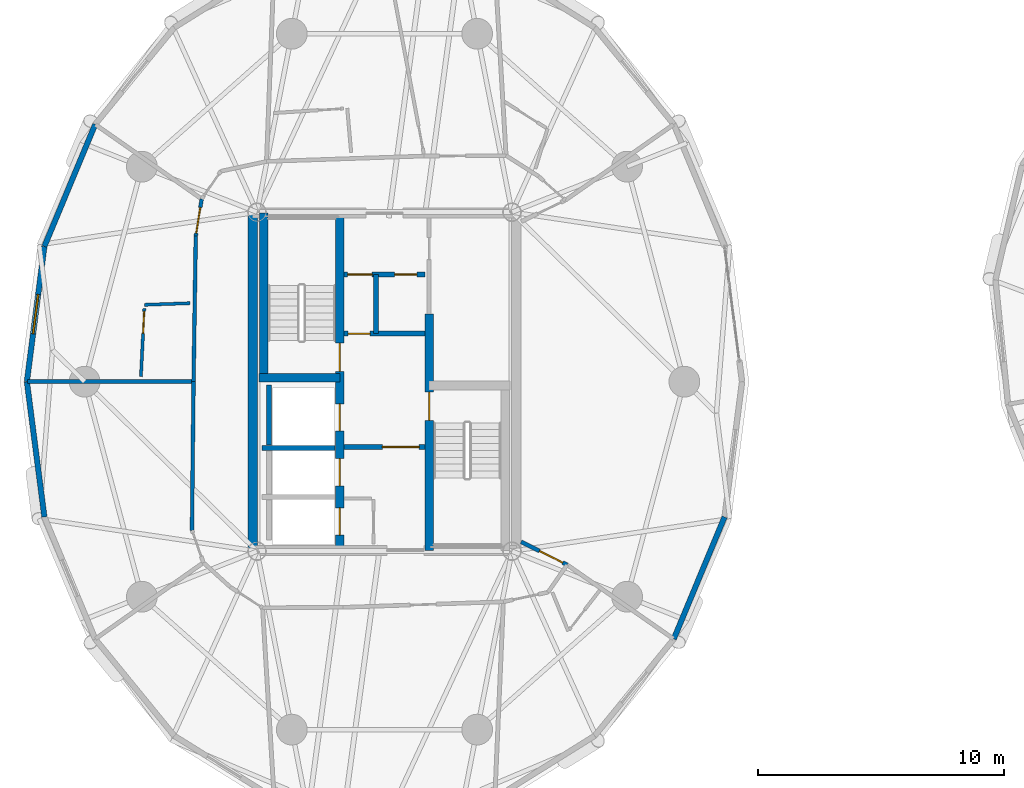
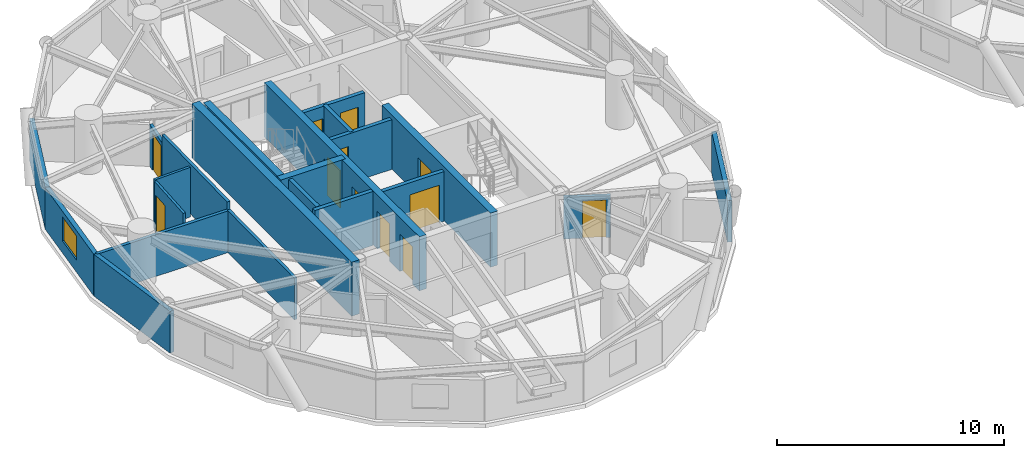
# One storey, part 11 of 18: 22 walls, 12 doors, 1 window, 13 openings.
"""IFC4 building model written with IfcOpenShell, lengths in metres."""

from ifc_helpers import new_model, si_unit, direction, frame, frame_2d, origin, place, context, subcontext, project, spatial, rectangle, extrude, source, transform, mapped, material, layer, layer_set, type_object, element, fill, save


model = new_model("IFC4")

# Units and contexts
model_context = context("Model", 3, precision=1e-05, world=origin(), true_north=direction((0.0, 1.0)))
body_context = subcontext(model_context, "Body", "Model", "MODEL_VIEW")
ifc_project = project(units=[si_unit("LENGTHUNIT", "METRE"), si_unit("AREAUNIT", "SQUARE_METRE"), si_unit("VOLUMEUNIT", "CUBIC_METRE"), si_unit("PLANEANGLEUNIT", "RADIAN"), si_unit("MASSUNIT", "GRAM", prefix="KILO")], contexts=[model_context])

# Site, building, storey
site_placement = place(None, origin())
site = spatial("IfcSite", under=ifc_project, at=site_placement, CompositionType="ELEMENT")
building_placement = place(site_placement, origin())
building = spatial("IfcBuilding", under=site, at=building_placement, Name="Cununo Teusaquillo Station Towers", CompositionType="ELEMENT")
storey_placement = place(building_placement, frame((0.0, 0.0, 157.419921875)))
storey = spatial("IfcBuildingStorey", under=building, at=storey_placement, Name="L49", CompositionType="ELEMENT", Elevation=157.419921875)

# Walls
ifc_material_1 = material(Name="Concrete C50/60", Category="concrete")
ifc_layer_1 = layer(ifc_material_1, 0.199951171875)
ifc_layer_set_1 = layer_set([ifc_layer_1], Name="Concrete C50/60")
wall_type_1 = type_object("IfcWallType", Name="WL-CORE-200", PredefinedType="SHEAR", material=ifc_layer_set_1)
wall_1_placement = place(storey_placement, frame((11.52001953125, 21.800048828125, 0.0), z_axis=(0.0, 0.0, 1.0), x_axis=(1.0, 0.0, 0.0)))
element("IfcWall", 1, at=wall_1_placement, inside=storey, type_object=wall_type_1, Name="L49 Tower A Firefighting Lift Shaft South Shear Wall", PredefinedType="SHEAR", context=body_context, shape_type="SweptSolid", body=[
    extrude(rectangle(XDim=2.969970703125, YDim=0.199951171875, at=frame_2d((1.48486328125, 0.0))), origin(), (0.0, 0.0, 1.0), 2.91015625),
])
wall_2_placement = place(storey_placement, frame((11.820068359375, 21.919921875, 0.0), z_axis=(0.0, 0.0, 1.0), x_axis=(0.0, 1.0, 0.0)))
element("IfcWall", 2, at=wall_2_placement, inside=storey, type_object=wall_type_1, Name="L49 Tower A Firefighting Lift Shaft Rear Shear Wall", PredefinedType="SHEAR", context=body_context, shape_type="SweptSolid", body=[
    extrude(rectangle(XDim=2.440185546875, YDim=0.199951171875, at=frame_2d((1.22021484375, 0.0))), origin(), (0.0, 0.0, 1.0), 2.91015625),
])

# Wall, openings, doors
ifc_material_2 = material(Name="Concrete C50/60", Category="concrete")
ifc_layer_2 = layer(ifc_material_2, 0.35009765625)
ifc_layer_set_2 = layer_set([ifc_layer_2], Name="Concrete C50/60")
wall_type_2 = type_object("IfcWallType", Name="WL-CORE-350", PredefinedType="SHEAR", material=ifc_layer_set_2)
wall_3_placement = place(storey_placement, frame((14.68505859375, 17.64990234375, 0.0), z_axis=(0.0, 0.0, 1.0), x_axis=(0.0, 1.0, 0.0)))
wall_3 = element("IfcWall", 3, at=wall_3_placement, inside=storey, type_object=wall_type_2, Name="L49 Tower A Core Shear Wall IW", PredefinedType="SHEAR", context=body_context, shape_type="SweptSolid", body=[
    extrude(rectangle(XDim=13.7001953125, YDim=0.35009765625, at=frame_2d((6.85009765625, 0.0))), origin(), (0.0, 0.0, 1.0), 2.91015625),
])
shared_shape_1 = source(origin(), body_context, "Body", "SweptSolid", [
    extrude(rectangle(XDim=1.10009765625, YDim=2.014892578125, at=frame_2d((0.550048828125, 1.00732421875))), frame((0.0, 0.18505859375, 0.0), z_axis=(0.0, -1.0, 0.0), x_axis=(1.0, 0.0, 0.0)), (0.0, 0.0, 1.0), 0.3701171875),
])
opening_1_placement = place(wall_3_placement, frame((4.85009765625, 0.0, 0.0)))
opening_1 = element("IfcOpeningElement", 4, at=opening_1_placement, cuts=wall_3, Name="Opening LD-01", PredefinedType="OPENING", context=body_context, shape_type="MappedRepresentation", body=[
    mapped(shared_shape_1, transform((0.0, 0.0, 0.0), x_axis=(1.0, 0.0, 0.0), y_axis=(0.0, 1.0, 0.0), z_axis=(0.0, 0.0, 1.0), scale=1.0)),
])
opening_2_placement = place(wall_3_placement, frame((0.625, 0.0, 0.0)))
opening_2 = element("IfcOpeningElement", 5, at=opening_2_placement, cuts=wall_3, Name="Opening LD-01", PredefinedType="OPENING", context=body_context, shape_type="MappedRepresentation", body=[
    mapped(shared_shape_1, transform((0.0, 0.0, 0.0), x_axis=(1.0, 0.0, 0.0), y_axis=(0.0, 1.0, 0.0), z_axis=(0.0, 0.0, 1.0), scale=1.0)),
])
opening_3_placement = place(wall_3_placement, frame((2.625, 0.0, 0.0)))
opening_3 = element("IfcOpeningElement", 6, at=opening_3_placement, cuts=wall_3, Name="Opening LD-01", PredefinedType="OPENING", context=body_context, shape_type="MappedRepresentation", body=[
    mapped(shared_shape_1, transform((0.0, 0.0, 0.0), x_axis=(1.0, 0.0, 0.0), y_axis=(0.0, 1.0, 0.0), z_axis=(0.0, 0.0, 1.0), scale=1.0)),
])
shared_shape_2 = source(origin(), body_context, "Body", "SweptSolid", [
    extrude(rectangle(XDim=1.14990234375, YDim=2.02001953125, at=frame_2d((0.574951171875, 1.010009765625))), frame((0.0, 0.18505859375, 0.0), z_axis=(0.0, -1.0, 0.0), x_axis=(1.0, 0.0, 0.0)), (0.0, 0.0, 1.0), 0.3701171875),
])
opening_4_placement = place(wall_3_placement, frame((7.27001953125, 0.0, 0.0)))
opening_4 = element("IfcOpeningElement", 7, at=opening_4_placement, cuts=wall_3, Name="Opening D-ST1", PredefinedType="OPENING", context=body_context, shape_type="MappedRepresentation", body=[
    mapped(shared_shape_2, transform((0.0, 0.0, 0.0), x_axis=(1.0, 0.0, 0.0), y_axis=(0.0, 1.0, 0.0), z_axis=(0.0, 0.0, 1.0), scale=1.0)),
])
ifc_material_3 = material(Name="Galvanised fire-rated hollow steel door assembly", Category="steel")
door_type_1 = type_object("IfcDoorType", Name="DR-LIFT-1100", OperationType="SLIDING_TO_LEFT", PredefinedType="DOOR", material=ifc_material_3)
shared_shape_3 = source(origin(), body_context, "Body", "SweptSolid", [
    extrude(rectangle(XDim=1.10009765625, YDim=2.014892578125, at=frame_2d((0.550048828125, 1.00732421875))), frame((0.0, 0.02490234375, 0.0), z_axis=(0.0, -1.0, 0.0), x_axis=(1.0, 0.0, 0.0)), (0.0, 0.0, 1.0), 0.050048828125),
])
door_1_placement = place(opening_1_placement, origin())
door_1 = element("IfcDoor", 8, at=door_1_placement, inside=storey, type_object=door_type_1, Name="L49 Lift FL-T1 Sliding Landing Door", OperationType="SLIDING_TO_RIGHT", OverallHeight=2.014892578125, OverallWidth=1.10009765625, PredefinedType="DOOR", context=body_context, shape_type="MappedRepresentation", body=[
    mapped(shared_shape_3, transform((0.0, 0.0, 0.0), x_axis=(1.0, 0.0, 0.0), y_axis=(0.0, 1.0, 0.0), z_axis=(0.0, 0.0, 1.0), scale=1.0)),
])
fill(opening_1, door_1)
door_2_placement = place(opening_2_placement, origin())
door_2 = element("IfcDoor", 9, at=door_2_placement, inside=storey, type_object=door_type_1, Name="L49 Lift PL-T1-H1 Sliding Landing Door", OperationType="SLIDING_TO_LEFT", OverallHeight=2.014892578125, OverallWidth=1.10009765625, PredefinedType="DOOR", context=body_context, shape_type="MappedRepresentation", body=[
    mapped(shared_shape_3, transform((0.0, 0.0, 0.0), x_axis=(1.0, 0.0, 0.0), y_axis=(0.0, 1.0, 0.0), z_axis=(0.0, 0.0, 1.0), scale=1.0)),
])
fill(opening_2, door_2)
door_3_placement = place(opening_3_placement, origin())
door_3 = element("IfcDoor", 10, at=door_3_placement, inside=storey, type_object=door_type_1, Name="L49 Lift PL-T1-H2 Sliding Landing Door", OperationType="SLIDING_TO_RIGHT", OverallHeight=2.014892578125, OverallWidth=1.10009765625, PredefinedType="DOOR", context=body_context, shape_type="MappedRepresentation", body=[
    mapped(shared_shape_3, transform((0.0, 0.0, 0.0), x_axis=(1.0, 0.0, 0.0), y_axis=(0.0, 1.0, 0.0), z_axis=(0.0, 0.0, 1.0), scale=1.0)),
])
fill(opening_3, door_3)
ifc_material_4 = material(Name="Galvanised fire-rated hollow steel door assembly", Category="steel")
door_type_2 = type_object("IfcDoorType", Name="DR-STAIR-1150", OperationType="NOTDEFINED", PredefinedType="DOOR", material=ifc_material_4)
shared_shape_4 = source(origin(), body_context, "Body", "SweptSolid", [
    extrude(rectangle(XDim=1.14990234375, YDim=2.02001953125, at=frame_2d((0.574951171875, 1.010009765625))), frame((0.0, 0.02490234375, 0.0), z_axis=(0.0, -1.0, 0.0), x_axis=(1.0, 0.0, 0.0)), (0.0, 0.0, 1.0), 0.050048828125),
])
door_4_placement = place(opening_4_placement, origin())
door_4 = element("IfcDoor", 11, at=door_4_placement, inside=storey, type_object=door_type_2, Name="L49 Tower A Exit Stair 1 Fire Door", OperationType="SINGLE_SWING_RIGHT", OverallHeight=2.02001953125, OverallWidth=1.14990234375, PredefinedType="DOOR", context=body_context, shape_type="MappedRepresentation", body=[
    mapped(shared_shape_4, transform((0.0, 0.0, 0.0), x_axis=(1.0, 0.0, 0.0), y_axis=(0.0, 1.0, 0.0), z_axis=(0.0, 0.0, 1.0), scale=1.0)),
])
fill(opening_4, door_4)

# Wall, opening, door
wall_4_placement = place(storey_placement, frame((18.31494140625, 17.64990234375, 0.0), z_axis=(0.0, 0.0, 1.0), x_axis=(0.0, 1.0, 0.0)))
wall_4 = element("IfcWall", 12, at=wall_4_placement, inside=storey, type_object=wall_type_2, Name="L49 Tower A Core Shear Wall IE", PredefinedType="SHEAR", context=body_context, shape_type="SweptSolid", body=[
    extrude(rectangle(XDim=9.60009765625, YDim=0.35009765625, at=frame_2d((4.800048828125, 0.0))), origin(), (0.0, 0.0, 1.0), 2.91015625),
])
opening_5_placement = place(wall_4_placement, frame((5.280029296875, 0.0, 0.0)))
opening_5 = element("IfcOpeningElement", 13, at=opening_5_placement, cuts=wall_4, Name="Opening D-ST1", PredefinedType="OPENING", context=body_context, shape_type="MappedRepresentation", body=[
    mapped(shared_shape_2, transform((0.0, 0.0, 0.0), x_axis=(1.0, 0.0, 0.0), y_axis=(0.0, 1.0, 0.0), z_axis=(0.0, 0.0, 1.0), scale=1.0)),
])
door_5_placement = place(opening_5_placement, origin())
door_5 = element("IfcDoor", 14, at=door_5_placement, inside=storey, type_object=door_type_2, Name="L49 Tower A Exit Stair 2 Fire Door", OperationType="SINGLE_SWING_LEFT", OverallHeight=2.02001953125, OverallWidth=1.14990234375, PredefinedType="DOOR", context=body_context, shape_type="MappedRepresentation", body=[
    mapped(shared_shape_4, transform((0.0, 0.0, 0.0), x_axis=(1.0, 0.0, 0.0), y_axis=(0.0, 1.0, 0.0), z_axis=(0.0, 0.0, 1.0), scale=1.0)),
])
fill(opening_5, door_5)

# Walls
wall_5_placement = place(storey_placement, frame((11.594970703125, 24.655029296875, 0.0), z_axis=(0.0, 0.0, 1.0), x_axis=(0.0, 1.0, 0.0)))
element("IfcWall", 15, at=wall_5_placement, inside=storey, type_object=wall_type_2, Name="L49 Tower A Core Shear Wall ST1W", PredefinedType="SHEAR", context=body_context, shape_type="SweptSolid", body=[
    extrude(rectangle(XDim=6.695068359375, YDim=0.35009765625, at=frame_2d((3.34765625, 0.0))), origin(), (0.0, 0.0, 1.0), 2.91015625),
])
wall_6_placement = place(storey_placement, frame((11.39990234375, 24.655029296875, 0.0), z_axis=(0.0, 0.0, 1.0), x_axis=(1.0, 0.0, 0.0)))
element("IfcWall", 16, at=wall_6_placement, inside=storey, type_object=wall_type_2, Name="L49 Tower A Core Shear Wall ST1S", PredefinedType="SHEAR", context=body_context, shape_type="SweptSolid", body=[
    extrude(rectangle(XDim=3.28515625, YDim=0.35009765625, at=frame_2d((1.642578125, 0.0))), origin(), (0.0, 0.0, 1.0), 2.91015625),
])
ifc_material_5 = material(Name="Concrete C50/60", Category="concrete")
ifc_layer_3 = layer(ifc_material_5, 0.39990234375)
ifc_layer_set_3 = layer_set([ifc_layer_3], Name="Concrete C50/60")
wall_type_3 = type_object("IfcWallType", Name="WL-CORE-400", PredefinedType="SHEAR", material=ifc_layer_set_3)
wall_7_placement = place(storey_placement, frame((11.14990234375, 17.449951171875, 0.0), z_axis=(0.0, 0.0, 1.0), x_axis=(0.0, 1.0, 0.0)))
element("IfcWall", 17, at=wall_7_placement, inside=storey, type_object=wall_type_3, Name="L49 Tower A Core Shear Wall W", PredefinedType="SHEAR", context=body_context, shape_type="SweptSolid", body=[
    extrude(rectangle(XDim=14.10009765625, YDim=0.39990234375, at=frame_2d((7.050048828125, 0.0))), origin(), (0.0, 0.0, 1.0), 2.91015625),
])
ifc_material_6 = material(Name="Precast concrete C40/50", Category="concrete")
ifc_layer_4 = layer(ifc_material_6, 0.219970703125)
ifc_layer_set_4 = layer_set([ifc_layer_4], Name="Precast concrete C40/50")
wall_type_4 = type_object("IfcWallType", Name="WL-EXT-220", PredefinedType="SOLIDWALL", material=ifc_layer_set_4)
wall_8_placement = place(storey_placement, frame((2.6953125, 29.9912109375, 0.0), z_axis=(0.0, 0.0, 1.0), x_axis=(0.384259959969, 0.923224936386, 0.0)))
element("IfcWall", 18, at=wall_8_placement, inside=storey, type_object=wall_type_4, Name="L49 Tower A Exterior Facade Wall C08", PredefinedType="SOLIDWALL", context=body_context, shape_type="SweptSolid", body=[
    extrude(rectangle(XDim=5.365478515625, YDim=0.219970703125, at=frame_2d((2.6826171875, 0.0))), origin(), (0.0, 0.0, 1.0), 2.2451171875),
])

# Wall, opening, window
wall_9_placement = place(storey_placement, frame((1.985107421875, 24.5, 0.0), z_axis=(0.0, 0.0, 1.0), x_axis=(0.128266533912, 0.991739732126, 0.0)))
wall_9 = element("IfcWall", 19, at=wall_9_placement, inside=storey, type_object=wall_type_4, Name="L49 Tower A Exterior Facade Wall C09", PredefinedType="SOLIDWALL", context=body_context, shape_type="SweptSolid", body=[
    extrude(rectangle(XDim=5.536865234375, YDim=0.219970703125, at=frame_2d((2.7685546875, 0.0))), origin(), (0.0, 0.0, 1.0), 2.2451171875),
])
shared_shape_5 = source(origin(), body_context, "Body", "SweptSolid", [
    extrude(rectangle(XDim=1.60009765625, YDim=1.300048828125, at=frame_2d((0.800048828125, 0.64990234375))), frame((0.0, 0.119873046875, 0.0), z_axis=(0.0, -1.0, 0.0), x_axis=(1.0, 0.0, 0.0)), (0.0, 0.0, 1.0), 0.239990234375),
])
opening_6_placement = place(wall_9_placement, frame((1.968017578125, 0.0, 0.64990234375)))
opening_6 = element("IfcOpeningElement", 20, at=opening_6_placement, cuts=wall_9, Name="Opening WN-03", PredefinedType="OPENING", context=body_context, shape_type="MappedRepresentation", body=[
    mapped(shared_shape_5, transform((0.0, 0.0, 0.0), x_axis=(1.0, 0.0, 0.0), y_axis=(0.0, 1.0, 0.0), z_axis=(0.0, 0.0, 1.0), scale=1.0)),
])
ifc_material_7 = material(Name="Ceramic-fritted dark low-E double glazing", Category="glass")
window_type = type_object("IfcWindowType", Name="WIN-CORN-1600", PartitioningType="SINGLE_PANEL", PredefinedType="WINDOW", material=ifc_material_7)
shared_shape_6 = source(origin(), body_context, "Body", "SweptSolid", [
    extrude(rectangle(XDim=1.60009765625, YDim=1.300048828125, at=frame_2d((0.800048828125, 0.64990234375))), frame((0.0, 0.030029296875, 0.0), z_axis=(0.0, -1.0, 0.0), x_axis=(1.0, 0.0, 0.0)), (0.0, 0.0, 1.0), 0.06005859375),
])
window_placement = place(opening_6_placement, origin())
window = element("IfcWindow", 21, at=window_placement, inside=storey, type_object=window_type, Name="L49 Tower A Facade Window C09", OverallHeight=1.300048828125, OverallWidth=1.60009765625, PartitioningType="SINGLE_PANEL", PredefinedType="WINDOW", context=body_context, shape_type="MappedRepresentation", body=[
    mapped(shared_shape_6, transform((0.0, 0.0, 0.0), x_axis=(1.0, 0.0, 0.0), y_axis=(0.0, 1.0, 0.0), z_axis=(0.0, 0.0, 1.0), scale=1.0)),
])
fill(opening_6, window)

# Walls
wall_10_placement = place(storey_placement, frame((2.6953125, 19.0087890625, 0.0), z_axis=(0.0, 0.0, 1.0), x_axis=(-0.128266533912, 0.991739732126, 0.0)))
element("IfcWall", 22, at=wall_10_placement, inside=storey, type_object=wall_type_4, Name="L49 Tower A Exterior Facade Wall C10", PredefinedType="SOLIDWALL", context=body_context, shape_type="SweptSolid", body=[
    extrude(rectangle(XDim=5.536865234375, YDim=0.219970703125, at=frame_2d((2.7685546875, 0.0))), origin(), (0.0, 0.0, 1.0), 2.2451171875),
])
wall_11_placement = place(storey_placement, frame((30.3046875, 19.0087890625, 0.0), z_axis=(0.0, 0.0, 1.0), x_axis=(-0.384259959969, -0.923224936386, 0.0)))
element("IfcWall", 23, at=wall_11_placement, inside=storey, type_object=wall_type_4, Name="L49 Tower A Exterior Facade Wall C18", PredefinedType="SOLIDWALL", context=body_context, shape_type="SweptSolid", body=[
    extrude(rectangle(XDim=5.365478515625, YDim=0.219970703125, at=frame_2d((2.6826171875, 0.0))), origin(), (0.0, 0.0, 1.0), 2.2451171875),
])
ifc_material_8 = material(Name="Fire-rated gypsum plasterboard partition assembly", Category="gypsum")
ifc_layer_5 = layer(ifc_material_8, 0.125)
ifc_layer_set_5 = layer_set([ifc_layer_5], Name="Fire-rated gypsum plasterboard partition assembly")
wall_type_5 = type_object("IfcWallType", Name="WL-PART-125", PredefinedType="PARTITIONING", material=ifc_layer_set_5)
wall_12_placement = place(storey_placement, frame((8.60595703125, 27.6865234375, 0.0), z_axis=(0.0, 0.0, 1.0), x_axis=(-0.999349834195, -0.036054249337, 0.0)))
element("IfcWall", 24, at=wall_12_placement, inside=storey, type_object=wall_type_5, Name="L49 Tower A S04 En-suite Side Wall", PredefinedType="PARTITIONING", context=body_context, shape_type="SweptSolid", body=[
    extrude(rectangle(XDim=1.8486328125, YDim=0.125, at=frame_2d((0.92431640625, 0.0))), origin(), (0.0, 0.0, 1.0), 2.675048828125),
])

# Wall, opening, door
wall_13_placement = place(storey_placement, frame((6.75146484375, 27.475341796875, 0.0), z_axis=(0.0, 0.0, 1.0), x_axis=(-0.049591166042, -0.998769601185, 0.0)))
wall_13 = element("IfcWall", 25, at=wall_13_placement, inside=storey, type_object=wall_type_5, Name="L49 Tower A S04 En-suite Back Wall", PredefinedType="PARTITIONING", context=body_context, shape_type="SweptSolid", body=[
    extrude(rectangle(XDim=2.776611328125, YDim=0.125, at=frame_2d((1.38818359375, 0.0))), origin(), (0.0, 0.0, 1.0), 2.675048828125),
])
shared_shape_7 = source(origin(), body_context, "Body", "SweptSolid", [
    extrude(rectangle(XDim=0.89990234375, YDim=2.0048828125, at=frame_2d((0.449951171875, 1.00244140625))), frame((0.0, 0.072509765625, 0.0), z_axis=(0.0, -1.0, 0.0), x_axis=(1.0, 0.0, 0.0)), (0.0, 0.0, 1.0), 0.14501953125),
])
opening_7_placement = place(wall_13_placement, frame((0.1201171875, 0.0, 0.0)))
opening_7 = element("IfcOpeningElement", 26, at=opening_7_placement, cuts=wall_13, Name="Opening D-IN1", PredefinedType="OPENING", context=body_context, shape_type="MappedRepresentation", body=[
    mapped(shared_shape_7, transform((0.0, 0.0, 0.0), x_axis=(1.0, 0.0, 0.0), y_axis=(0.0, 1.0, 0.0), z_axis=(0.0, 0.0, 1.0), scale=1.0)),
])
ifc_material_9 = material(Name="Acoustic solid-core hardwood leaf assembly", Category="wood")
door_type_3 = type_object("IfcDoorType", Name="DR-INT-900", OperationType="NOTDEFINED", PredefinedType="DOOR", material=ifc_material_9)
shared_shape_8 = source(origin(), body_context, "Body", "SweptSolid", [
    extrude(rectangle(XDim=0.89990234375, YDim=2.0048828125, at=frame_2d((0.449951171875, 1.00244140625))), frame((0.0, 0.02490234375, 0.0), z_axis=(0.0, -1.0, 0.0), x_axis=(1.0, 0.0, 0.0)), (0.0, 0.0, 1.0), 0.050048828125),
])
door_6_placement = place(opening_7_placement, origin())
door_6 = element("IfcDoor", 27, at=door_6_placement, inside=storey, type_object=door_type_3, Name="L49 Tower A S04 En-suite Bathroom Door", OperationType="SINGLE_SWING_RIGHT", OverallHeight=2.0048828125, OverallWidth=0.89990234375, PredefinedType="DOOR", context=body_context, shape_type="MappedRepresentation", body=[
    mapped(shared_shape_8, transform((0.0, 0.0, 0.0), x_axis=(1.0, 0.0, 0.0), y_axis=(0.0, 1.0, 0.0), z_axis=(0.0, 0.0, 1.0), scale=1.0)),
])
fill(opening_7, door_6)

ifc_material_10 = material(Name="Fire-rated gypsum plasterboard partition assembly", Category="gypsum")
ifc_layer_6 = layer(ifc_material_10, 0.14990234375)
ifc_layer_set_6 = layer_set([ifc_layer_6], Name="Fire-rated gypsum plasterboard partition assembly")
wall_type_6 = type_object("IfcWallType", Name="WL-PART-150", PredefinedType="PARTITIONING", material=ifc_layer_set_6)
wall_14_placement = place(storey_placement, frame((9.079345703125, 31.917724609375, 0.0), z_axis=(0.0, 0.0, 1.0), x_axis=(-0.15742775293, -0.987530507178, 0.0)))
wall_14 = element("IfcWall", 28, at=wall_14_placement, inside=storey, type_object=wall_type_6, Name="L49 Tower A Corridor Ring Wall C08", PredefinedType="PARTITIONING", context=body_context, shape_type="SweptSolid", body=[
    extrude(rectangle(XDim=1.52294921875, YDim=0.14990234375, at=frame_2d((0.761474609375, 0.0))), origin(), (0.0, 0.0, 1.0), 2.2451171875),
])
shared_shape_9 = source(origin(), body_context, "Body", "SweptSolid", [
    extrude(rectangle(XDim=1.050048828125, YDim=2.014892578125, at=frame_2d((0.52490234375, 1.00732421875))), frame((0.0, 0.0849609375, 0.0), z_axis=(0.0, -1.0, 0.0), x_axis=(1.0, 0.0, 0.0)), (0.0, 0.0, 1.0), 0.169921875),
])
opening_8_placement = place(wall_14_placement, frame((0.352783203125, 0.0, 0.0)))
opening_8 = element("IfcOpeningElement", 29, at=opening_8_placement, cuts=wall_14, Name="Opening D-SU1", PredefinedType="OPENING", context=body_context, shape_type="MappedRepresentation", body=[
    mapped(shared_shape_9, transform((0.0, 0.0, 0.0), x_axis=(1.0, 0.0, 0.0), y_axis=(0.0, 1.0, 0.0), z_axis=(0.0, 0.0, 1.0), scale=1.0)),
])
ifc_material_11 = material(Name="Acoustic solid-core hardwood leaf assembly", Category="wood")
door_type_4 = type_object("IfcDoorType", Name="DR-SUITE-1050", OperationType="NOTDEFINED", PredefinedType="DOOR", material=ifc_material_11)
shared_shape_10 = source(origin(), body_context, "Body", "SweptSolid", [
    extrude(rectangle(XDim=1.050048828125, YDim=2.014892578125, at=frame_2d((0.52490234375, 1.00732421875))), frame((0.0, 0.02490234375, 0.0), z_axis=(0.0, -1.0, 0.0), x_axis=(1.0, 0.0, 0.0)), (0.0, 0.0, 1.0), 0.050048828125),
])
door_7_placement = place(opening_8_placement, origin())
door_7 = element("IfcDoor", 30, at=door_7_placement, inside=storey, type_object=door_type_4, Name="L49 Tower A Andean Crest Hotel Suite Entrance Door", OperationType="SINGLE_SWING_LEFT", OverallHeight=2.014892578125, OverallWidth=1.050048828125, PredefinedType="DOOR", context=body_context, shape_type="MappedRepresentation", body=[
    mapped(shared_shape_10, transform((0.0, 0.0, 0.0), x_axis=(1.0, 0.0, 0.0), y_axis=(0.0, 1.0, 0.0), z_axis=(0.0, 0.0, 1.0), scale=1.0)),
])
fill(opening_8, door_7)

# Walls
wall_15_placement = place(storey_placement, frame((8.839599609375, 30.413818359375, 0.0), z_axis=(0.0, 0.0, 1.0), x_axis=(-0.01514915101, -0.999885245027, 0.0)))
element("IfcWall", 31, at=wall_15_placement, inside=storey, type_object=wall_type_6, Name="L49 Tower A Corridor Ring Wall C09", PredefinedType="PARTITIONING", context=body_context, shape_type="SweptSolid", body=[
    extrude(rectangle(XDim=5.91455078125, YDim=0.14990234375, at=frame_2d((2.957275390625, 0.0))), origin(), (0.0, 0.0, 1.0), 2.675048828125),
])
wall_16_placement = place(storey_placement, frame((8.75, 24.5, 0.0), z_axis=(0.0, 0.0, 1.0), x_axis=(-0.01076642715, -0.999942040344, 0.0)))
element("IfcWall", 32, at=wall_16_placement, inside=storey, type_object=wall_type_6, Name="L49 Tower A Corridor Ring Wall C10", PredefinedType="PARTITIONING", context=body_context, shape_type="SweptSolid", body=[
    extrude(rectangle(XDim=6.03173828125, YDim=0.14990234375, at=frame_2d((3.015869140625, 0.0))), origin(), (0.0, 0.0, 1.0), 2.2451171875),
])
ifc_material_12 = material(Name="Fire-rated gypsum plasterboard partition assembly", Category="gypsum")
ifc_layer_7 = layer(ifc_material_12, 0.159912109375)
ifc_layer_set_7 = layer_set([ifc_layer_7], Name="Fire-rated gypsum plasterboard partition assembly")
wall_type_7 = type_object("IfcWallType", Name="WL-PART-160", PredefinedType="PARTITIONING", material=ifc_layer_set_7)
wall_17_placement = place(storey_placement, frame((8.75, 24.5, 0.0), z_axis=(0.0, 0.0, 1.0), x_axis=(-1.0, 0.0, 0.0)))
element("IfcWall", 33, at=wall_17_placement, inside=storey, type_object=wall_type_7, Name="L49 Tower A Radial Suite Partition R05", PredefinedType="PARTITIONING", context=body_context, shape_type="SweptSolid", body=[
    extrude(rectangle(XDim=6.7451171875, YDim=0.159912109375, at=frame_2d((3.37255859375, 0.0))), origin(), (0.0, 0.0, 1.0), 2.2451171875),
])

# Wall, opening, door
wall_18_placement = place(storey_placement, frame((22.050048828125, 18.0, 0.0), z_axis=(0.0, 0.0, 1.0), x_axis=(0.893817206679, -0.448431489799, 0.0)))
wall_18 = element("IfcWall", 34, at=wall_18_placement, inside=storey, type_object=wall_type_7, Name="L49 Tower A East Salon Corridor Portal Wall SE", PredefinedType="PARTITIONING", context=body_context, shape_type="SweptSolid", body=[
    extrude(rectangle(XDim=2.083984375, YDim=0.159912109375, at=frame_2d((1.0419921875, 0.0))), origin(), (0.0, 0.0, 1.0), 2.2451171875),
])
shared_shape_11 = source(origin(), body_context, "Body", "SweptSolid", [
    extrude(rectangle(XDim=1.050048828125, YDim=2.014892578125, at=frame_2d((0.52490234375, 1.00732421875))), frame((0.0, 0.08984375, 0.0), z_axis=(0.0, -1.0, 0.0), x_axis=(1.0, 0.0, 0.0)), (0.0, 0.0, 1.0), 0.179931640625),
])
opening_9_placement = place(wall_18_placement, frame((0.834228515625, 0.0, 0.0)))
opening_9 = element("IfcOpeningElement", 35, at=opening_9_placement, cuts=wall_18, Name="Opening D-SU1", PredefinedType="OPENING", context=body_context, shape_type="MappedRepresentation", body=[
    mapped(shared_shape_11, transform((0.0, 0.0, 0.0), x_axis=(1.0, 0.0, 0.0), y_axis=(0.0, 1.0, 0.0), z_axis=(0.0, 0.0, 1.0), scale=1.0)),
])
door_8_placement = place(opening_9_placement, origin())
door_8 = element("IfcDoor", 36, at=door_8_placement, inside=storey, type_object=door_type_4, Name="L49 Tower A East Panorama Sky Salon Door SE", OperationType="SINGLE_SWING_RIGHT", OverallHeight=2.014892578125, OverallWidth=1.050048828125, PredefinedType="DOOR", context=body_context, shape_type="MappedRepresentation", body=[
    mapped(shared_shape_10, transform((0.0, 0.0, 0.0), x_axis=(1.0, 0.0, 0.0), y_axis=(0.0, 1.0, 0.0), z_axis=(0.0, 0.0, 1.0), scale=1.0)),
])
fill(opening_9, door_8)

ifc_material_13 = material(Name="Fire-rated gypsum plasterboard partition assembly", Category="gypsum")
ifc_layer_8 = layer(ifc_material_13, 0.199951171875)
ifc_layer_set_8 = layer_set([ifc_layer_8], Name="Fire-rated gypsum plasterboard partition assembly")
wall_type_8 = type_object("IfcWallType", Name="WL-PART-200", PredefinedType="PARTITIONING", material=ifc_layer_set_8)
wall_19_placement = place(storey_placement, frame((14.860107421875, 21.85009765625, 0.0), z_axis=(0.0, 0.0, 1.0), x_axis=(1.0, 0.0, 0.0)))
wall_19 = element("IfcWall", 37, at=wall_19_placement, inside=storey, type_object=wall_type_8, Name="L49 Tower A Firefighting Lift Lobby South Fire Wall", PredefinedType="PARTITIONING", context=body_context, shape_type="SweptSolid", body=[
    extrude(rectangle(XDim=3.27978515625, YDim=0.199951171875, at=frame_2d((1.639892578125, 0.0))), origin(), (0.0, 0.0, 1.0), 2.675048828125),
])
shared_shape_12 = source(origin(), body_context, "Body", "SweptSolid", [
    extrude(rectangle(XDim=1.5, YDim=2.02001953125, at=frame_2d((0.75, 1.010009765625))), frame((0.0, 0.10986328125, 0.0), z_axis=(0.0, -1.0, 0.0), x_axis=(1.0, 0.0, 0.0)), (0.0, 0.0, 1.0), 0.219970703125),
])
opening_10_placement = place(wall_19_placement, frame((1.550048828125, 0.0, 0.0)))
opening_10 = element("IfcOpeningElement", 38, at=opening_10_placement, cuts=wall_19, Name="Opening D-LB1", PredefinedType="OPENING", context=body_context, shape_type="MappedRepresentation", body=[
    mapped(shared_shape_12, transform((0.0, 0.0, 0.0), x_axis=(1.0, 0.0, 0.0), y_axis=(0.0, 1.0, 0.0), z_axis=(0.0, 0.0, 1.0), scale=1.0)),
])
ifc_material_14 = material(Name="Galvanised fire-rated hollow steel door assembly", Category="steel")
door_type_5 = type_object("IfcDoorType", Name="DR-LOBBY-1500", OperationType="DOUBLE_DOOR_SINGLE_SWING", PredefinedType="DOOR", material=ifc_material_14)
shared_shape_13 = source(origin(), body_context, "Body", "SweptSolid", [
    extrude(rectangle(XDim=1.5, YDim=2.02001953125, at=frame_2d((0.75, 1.010009765625))), frame((0.0, 0.02490234375, 0.0), z_axis=(0.0, -1.0, 0.0), x_axis=(1.0, 0.0, 0.0)), (0.0, 0.0, 1.0), 0.050048828125),
])
door_9_placement = place(opening_10_placement, origin())
door_9 = element("IfcDoor", 39, at=door_9_placement, inside=storey, type_object=door_type_5, Name="L49 Tower A Firefighting Lift Lobby South Fire Door", OperationType="DOUBLE_DOOR_SINGLE_SWING", OverallHeight=2.02001953125, OverallWidth=1.5, PredefinedType="DOOR", context=body_context, shape_type="MappedRepresentation", body=[
    mapped(shared_shape_13, transform((0.0, 0.0, 0.0), x_axis=(1.0, 0.0, 0.0), y_axis=(0.0, 1.0, 0.0), z_axis=(0.0, 0.0, 1.0), scale=1.0)),
])
fill(opening_10, door_9)

wall_20_placement = place(storey_placement, frame((14.860107421875, 26.449951171875, 0.0), z_axis=(0.0, 0.0, 1.0), x_axis=(1.0, 0.0, 0.0)))
wall_20 = element("IfcWall", 40, at=wall_20_placement, inside=storey, type_object=wall_type_8, Name="L49 Tower A Firefighting Lift Lobby North Fire Wall", PredefinedType="PARTITIONING", context=body_context, shape_type="SweptSolid", body=[
    extrude(rectangle(XDim=3.27978515625, YDim=0.199951171875, at=frame_2d((1.639892578125, 0.0))), origin(), (0.0, 0.0, 1.0), 2.675048828125),
])
shared_shape_14 = source(origin(), body_context, "Body", "SweptSolid", [
    extrude(rectangle(XDim=0.89990234375, YDim=2.0048828125, at=frame_2d((0.449951171875, 1.00244140625))), frame((0.0, 0.10986328125, 0.0), z_axis=(0.0, -1.0, 0.0), x_axis=(1.0, 0.0, 0.0)), (0.0, 0.0, 1.0), 0.219970703125),
])
opening_11_placement = place(wall_20_placement, frame((0.159912109375, 0.0, 0.0)))
opening_11 = element("IfcOpeningElement", 41, at=opening_11_placement, cuts=wall_20, Name="Opening D-SR1", PredefinedType="OPENING", context=body_context, shape_type="MappedRepresentation", body=[
    mapped(shared_shape_14, transform((0.0, 0.0, 0.0), x_axis=(1.0, 0.0, 0.0), y_axis=(0.0, 1.0, 0.0), z_axis=(0.0, 0.0, 1.0), scale=1.0)),
])
ifc_material_15 = material(Name="Galvanised fire-rated hollow steel door assembly", Category="steel")
door_type_6 = type_object("IfcDoorType", Name="DR-STORE-900", OperationType="NOTDEFINED", PredefinedType="DOOR", material=ifc_material_15)
door_10_placement = place(opening_11_placement, origin())
door_10 = element("IfcDoor", 42, at=door_10_placement, inside=storey, type_object=door_type_6, Name="L49 Tower A Stair 1 Protected Vestibule South Door", OperationType="SINGLE_SWING_RIGHT", OverallHeight=2.0048828125, OverallWidth=0.89990234375, PredefinedType="DOOR", context=body_context, shape_type="MappedRepresentation", body=[
    mapped(shared_shape_8, transform((0.0, 0.0, 0.0), x_axis=(1.0, 0.0, 0.0), y_axis=(0.0, 1.0, 0.0), z_axis=(0.0, 0.0, 1.0), scale=1.0)),
])
fill(opening_11, door_10)

# Wall
wall_21_placement = place(storey_placement, frame((16.14990234375, 26.449951171875, 0.0), z_axis=(0.0, 0.0, 1.0), x_axis=(0.0, 1.0, 0.0)))
element("IfcWall", 43, at=wall_21_placement, inside=storey, type_object=wall_type_8, Name="L49 Tower A Stair 1 Vestibule Partition Wall", PredefinedType="PARTITIONING", context=body_context, shape_type="SweptSolid", body=[
    extrude(rectangle(XDim=2.400146484375, YDim=0.199951171875, at=frame_2d((1.2001953125, 0.0))), origin(), (0.0, 0.0, 1.0), 2.675048828125),
])

# Wall, openings, doors
wall_22_placement = place(storey_placement, frame((14.860107421875, 28.85009765625, 0.0), z_axis=(0.0, 0.0, 1.0), x_axis=(1.0, 0.0, 0.0)))
wall_22 = element("IfcWall", 44, at=wall_22_placement, inside=storey, type_object=wall_type_8, Name="L49 Tower A North Lift Lobby South Fire Wall", PredefinedType="PARTITIONING", context=body_context, shape_type="SweptSolid", body=[
    extrude(rectangle(XDim=3.27978515625, YDim=0.199951171875, at=frame_2d((1.639892578125, 0.0))), origin(), (0.0, 0.0, 1.0), 2.675048828125),
])
shared_shape_15 = source(origin(), body_context, "Body", "SweptSolid", [
    extrude(rectangle(XDim=1.0, YDim=2.014892578125, at=frame_2d((0.5, 1.00732421875))), frame((0.0, 0.10986328125, 0.0), z_axis=(0.0, -1.0, 0.0), x_axis=(1.0, 0.0, 0.0)), (0.0, 0.0, 1.0), 0.219970703125),
])
opening_12_placement = place(wall_22_placement, frame((0.139892578125, 0.0, 0.0)))
opening_12 = element("IfcOpeningElement", 45, at=opening_12_placement, cuts=wall_22, Name="Opening D-AC1", PredefinedType="OPENING", context=body_context, shape_type="MappedRepresentation", body=[
    mapped(shared_shape_15, transform((0.0, 0.0, 0.0), x_axis=(1.0, 0.0, 0.0), y_axis=(0.0, 1.0, 0.0), z_axis=(0.0, 0.0, 1.0), scale=1.0)),
])
opening_13_placement = place(wall_22_placement, frame((2.050048828125, 0.0, 0.0)))
opening_13 = element("IfcOpeningElement", 46, at=opening_13_placement, cuts=wall_22, Name="Opening D-SR1", PredefinedType="OPENING", context=body_context, shape_type="MappedRepresentation", body=[
    mapped(shared_shape_14, transform((0.0, 0.0, 0.0), x_axis=(1.0, 0.0, 0.0), y_axis=(0.0, 1.0, 0.0), z_axis=(0.0, 0.0, 1.0), scale=1.0)),
])
door_11_placement = place(opening_13_placement, origin())
door_11 = element("IfcDoor", 47, at=door_11_placement, inside=storey, type_object=door_type_6, Name="L49 Tower A Core Housekeeping & Linen Store Door", OperationType="SINGLE_SWING_LEFT", OverallHeight=2.0048828125, OverallWidth=0.89990234375, PredefinedType="DOOR", context=body_context, shape_type="MappedRepresentation", body=[
    mapped(shared_shape_8, transform((0.0, 0.0, 0.0), x_axis=(1.0, 0.0, 0.0), y_axis=(0.0, 1.0, 0.0), z_axis=(0.0, 0.0, 1.0), scale=1.0)),
])
fill(opening_13, door_11)
ifc_material_16 = material(Name="Acoustic solid-core hardwood leaf assembly", Category="wood")
door_type_7 = type_object("IfcDoorType", Name="DR-ACC-1000", OperationType="NOTDEFINED", PredefinedType="DOOR", material=ifc_material_16)
shared_shape_16 = source(origin(), body_context, "Body", "SweptSolid", [
    extrude(rectangle(XDim=1.0, YDim=2.014892578125, at=frame_2d((0.5, 1.00732421875))), frame((0.0, 0.02490234375, 0.0), z_axis=(0.0, -1.0, 0.0), x_axis=(1.0, 0.0, 0.0)), (0.0, 0.0, 1.0), 0.050048828125),
])
door_12_placement = place(opening_12_placement, origin())
door_12 = element("IfcDoor", 48, at=door_12_placement, inside=storey, type_object=door_type_7, Name="L49 Tower A North Lift Lobby to Stair 1 Vestibule Door", OperationType="SINGLE_SWING_LEFT", OverallHeight=2.014892578125, OverallWidth=1.0, PredefinedType="DOOR", context=body_context, shape_type="MappedRepresentation", body=[
    mapped(shared_shape_16, transform((0.0, 0.0, 0.0), x_axis=(1.0, 0.0, 0.0), y_axis=(0.0, 1.0, 0.0), z_axis=(0.0, 0.0, 1.0), scale=1.0)),
])
fill(opening_12, door_12)

save(model, "model.ifc")
